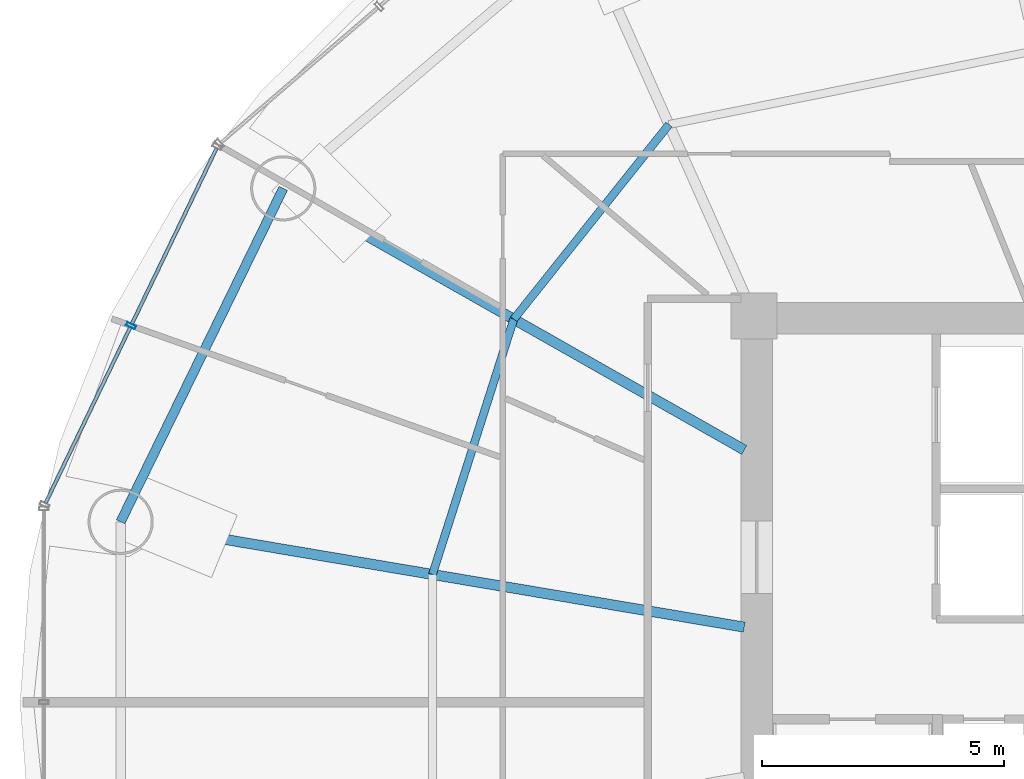
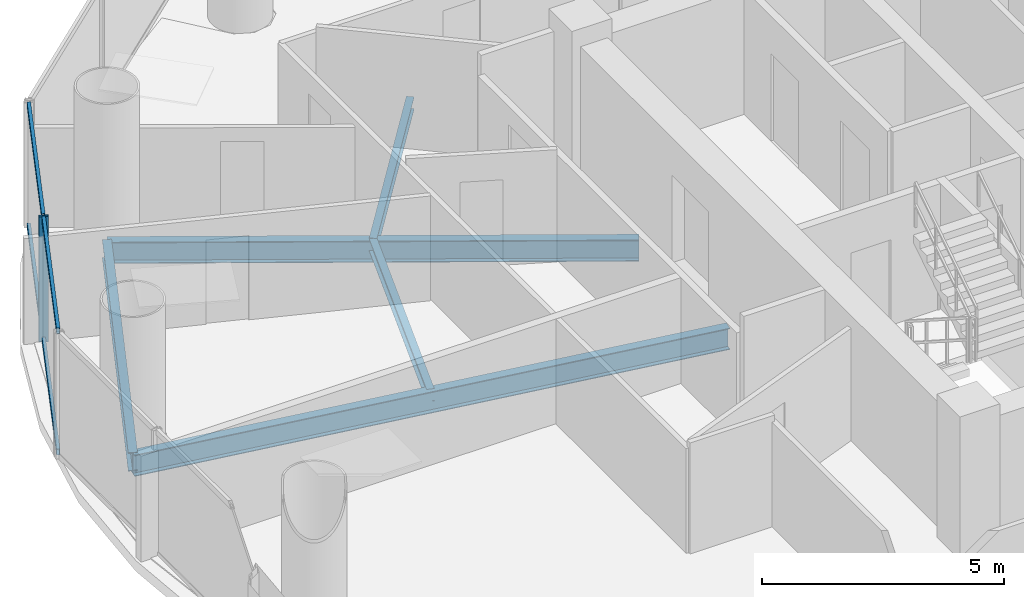
# One storey, part 8 of 26: 5 beams, 5 members, 1 element without a shape of its own.
"""IFC4 building model written with IfcOpenShell, lengths in metres."""

from ifc_helpers import new_model, si_unit, direction, frame, origin, origin_2d, place, context, subcontext, project, spatial, hollow_rectangle, i_section, extrude, source, transform, mapped, material, material_profile, profile_set, type_object, element, aggregate, save


model = new_model("IFC4")

# Units and contexts
model_context = context("Model", 3, precision=1e-05, world=origin(), true_north=direction((-0.2419218956, 0.970295726276)))
body_context = subcontext(model_context, "Body", "Model", "MODEL_VIEW")
ifc_project = project(units=[si_unit("LENGTHUNIT", "METRE"), si_unit("AREAUNIT", "SQUARE_METRE"), si_unit("VOLUMEUNIT", "CUBIC_METRE"), si_unit("PLANEANGLEUNIT", "RADIAN"), si_unit("MASSUNIT", "GRAM", prefix="KILO")], contexts=[model_context])

# Site, building, storey
site_placement = place(None, origin())
site = spatial("IfcSite", under=ifc_project, at=site_placement, CompositionType="ELEMENT")
building_placement = place(site_placement, origin())
building = spatial("IfcBuilding", under=site, at=building_placement, Name="Cobrevalo Terracotta Tower", CompositionType="ELEMENT")
storey_placement = place(building_placement, frame((0.0, 0.0, 182.199951171875)))
storey = spatial("IfcBuildingStorey", under=building, at=storey_placement, Name="L48", CompositionType="ELEMENT", Elevation=182.199951171875)

# Beams
ifc_material_1 = material(Name="Steel S355", Category="steel")
ifc_material_profile_1 = material_profile(ifc_material_1, i_section(OverallWidth=0.2109375, OverallDepth=0.5390625, WebThickness=0.01171875, FlangeThickness=0.018798828125, at=origin_2d()), Name="W 530x109")
ifc_profile_set_1 = profile_set([ifc_material_profile_1], Name="Steel S355")
beam_type_1 = type_object("IfcBeamType", Name="Structural Beam W 530x109 (Steel S355)", PredefinedType="BEAM", material=ifc_profile_set_1)
beam_1_placement = place(storey_placement, frame((19.250244140625, 37.439208984375, -0.53955078125), z_axis=(0.869734177783, -0.493520475762, 0.0), x_axis=(0.493520475762, 0.869734177783, 0.0)))
element("IfcBeam", 1, at=beam_1_placement, inside=storey, type_object=beam_type_1, Name="L48 radial floor girder 07", PredefinedType="BEAM", context=body_context, shape_type="SweptSolid", body=[
    extrude(i_section(OverallWidth=0.2109375, OverallDepth=0.5390625, WebThickness=0.01171875, FlangeThickness=0.018798828125, at=origin_2d()), origin(), (0.0, 0.0, 1.0), 10.974365234375),
])
beam_2_placement = place(storey_placement, frame((15.88330078125, 30.535888671875, -0.53955078125), z_axis=(0.986032794282, -0.166551279191, 0.0), x_axis=(0.166551279191, 0.986032794282, 0.0)))
element("IfcBeam", 2, at=beam_2_placement, inside=storey, type_object=beam_type_1, Name="L48 radial floor girder 08", PredefinedType="BEAM", context=body_context, shape_type="SweptSolid", body=[
    extrude(i_section(OverallWidth=0.2109375, OverallDepth=0.5390625, WebThickness=0.01171875, FlangeThickness=0.018798828125, at=origin_2d()), origin(), (0.0, 0.0, 1.0), 13.094482421875),
])
ifc_material_profile_2 = material_profile(ifc_material_1, i_section(OverallWidth=0.1650390625, OverallDepth=0.31005859375, WebThickness=0.005859375, FlangeThickness=0.009765625, at=origin_2d()), Name="W 310x38.7")
ifc_profile_set_2 = profile_set([ifc_material_profile_2], Name="Steel S355")
beam_type_2 = type_object("IfcBeamType", Name="Structural Joist W 310x38.7 (Steel S355)", PredefinedType="JOIST", material=ifc_profile_set_2)
beam_3_placement = place(storey_placement, frame((27.23583984375, 38.76123046875, -0.425048828125), z_axis=(-0.62340602772, -0.781898282773, 0.0), x_axis=(0.781898282773, -0.62340602772, 0.0)))
element("IfcBeam", 3, at=beam_3_placement, inside=storey, type_object=beam_type_2, Name="L48 circumferential secondary floor joist 06", PredefinedType="JOIST", context=body_context, shape_type="SweptSolid", body=[
    extrude(i_section(OverallWidth=0.1650390625, OverallDepth=0.31005859375, WebThickness=0.005859375, FlangeThickness=0.009765625, at=origin_2d()), origin(), (0.0, 0.0, 1.0), 5.154052734375),
])
beam_4_placement = place(storey_placement, frame((24.022705078125, 34.731201171875, -0.425048828125), z_axis=(-0.303497928386, -0.952832098255, 0.0), x_axis=(0.952832098255, -0.303497928386, 0.0)))
element("IfcBeam", 4, at=beam_4_placement, inside=storey, type_object=beam_type_2, Name="L48 circumferential secondary floor joist 07", PredefinedType="JOIST", context=body_context, shape_type="SweptSolid", body=[
    extrude(i_section(OverallWidth=0.1650390625, OverallDepth=0.31005859375, WebThickness=0.005859375, FlangeThickness=0.009765625, at=origin_2d()), origin(), (0.0, 0.0, 1.0), 5.54736328125),
])
ifc_material_profile_3 = material_profile(ifc_material_1, i_section(OverallWidth=0.194091796875, OverallDepth=0.468994140625, WebThickness=0.011474609375, FlangeThickness=0.0205078125, at=origin_2d()), Name="W 460x106")
ifc_profile_set_3 = profile_set([ifc_material_profile_3], Name="Steel S355")
beam_type_3 = type_object("IfcBeamType", Name="Structural Spandrel W 460x106 (Steel S355)", PredefinedType="SPANDREL", material=ifc_profile_set_3)
beam_5_placement = place(storey_placement, frame((19.250244140625, 37.439208984375, -0.50439453125), z_axis=(-0.438367894028, -0.89879563277, 0.0), x_axis=(0.89879563277, -0.438367894028, 0.0)))
element("IfcBeam", 5, at=beam_5_placement, inside=storey, type_object=beam_type_3, Name="L48 perimeter ring spandrel 07", PredefinedType="SPANDREL", context=body_context, shape_type="SweptSolid", body=[
    extrude(i_section(OverallWidth=0.194091796875, OverallDepth=0.468994140625, WebThickness=0.011474609375, FlangeThickness=0.0205078125, at=origin_2d()), origin(), (0.0, 0.0, 1.0), 7.6806640625),
])

# Curtain wall, members
ifc_material_2 = material(Name="Anodized aluminium", Category="aluminium")
curtain_wall_type = type_object("IfcCurtainWallType", Name="Mid-tower high-wind unitised curtain wall CW-U2", PredefinedType="NOTDEFINED", material=ifc_material_2)
curtain_wall_placement = place(storey_placement, origin())
curtain_wall = element("IfcCurtainWall", 6, at=curtain_wall_placement, inside=storey, type_object=curtain_wall_type, Name="L48 curtain wall CW-L48-S07", PredefinedType="NOTDEFINED")
ifc_material_profile_4 = material_profile(ifc_material_2, hollow_rectangle(XDim=0.074951171875, YDim=0.14990234375, WallThickness=0.00439453125, at=origin_2d()), Name="CWT 75x150")
ifc_profile_set_4 = profile_set([ifc_material_profile_4], Name="Anodized aluminium")
member_type_1 = type_object("IfcMemberType", Name="Tower unitised aluminium transom 75x150", PredefinedType="USERDEFINED", material=ifc_profile_set_4)
shared_shape_1 = source(origin(), body_context, "Body", "SweptSolid", [
    extrude(hollow_rectangle(XDim=0.074951171875, YDim=0.14990234375, WallThickness=0.00439453125, at=origin_2d()), origin(), (0.0, 0.0, 1.0), 4.035888671875),
])
member_1_placement = place(storey_placement, frame((17.86865234375, 38.26708984375, 0.050048828125), z_axis=(-0.434221176581, -0.900806288726, 0.0), x_axis=(0.900806288726, -0.434221176581, 0.0)))
member_1 = element("IfcMember", 7, at=member_1_placement, type_object=member_type_1, Name="CW-L48-S07 transom B01-T1", ObjectType="TRANSOM", PredefinedType="USERDEFINED", context=body_context, shape_type="MappedRepresentation", body=[
    mapped(shared_shape_1, transform((0.0, 0.0, 0.0), scale=1.0)),
])
member_2_placement = place(storey_placement, frame((17.86865234375, 38.26708984375, 3.10009765625), z_axis=(-0.434221176581, -0.900806288726, 0.0), x_axis=(0.900806288726, -0.434221176581, 0.0)))
member_2 = element("IfcMember", 8, at=member_2_placement, type_object=member_type_1, Name="CW-L48-S07 transom B01-T2", ObjectType="TRANSOM", PredefinedType="USERDEFINED", context=body_context, shape_type="MappedRepresentation", body=[
    mapped(shared_shape_1, transform((0.0, 0.0, 0.0), scale=1.0)),
])
member_3_placement = place(storey_placement, frame((16.08154296875, 34.5595703125, 0.050048828125), z_axis=(-0.434221176581, -0.900806288726, 0.0), x_axis=(0.900806288726, -0.434221176581, 0.0)))
member_3 = element("IfcMember", 9, at=member_3_placement, type_object=member_type_1, Name="CW-L48-S07 transom B02-T1", ObjectType="TRANSOM", PredefinedType="USERDEFINED", context=body_context, shape_type="MappedRepresentation", body=[
    mapped(shared_shape_1, transform((0.0, 0.0, 0.0), scale=1.0)),
])
member_4_placement = place(storey_placement, frame((16.08154296875, 34.5595703125, 3.10009765625), z_axis=(-0.434221176581, -0.900806288726, 0.0), x_axis=(0.900806288726, -0.434221176581, 0.0)))
member_4 = element("IfcMember", 10, at=member_4_placement, type_object=member_type_1, Name="CW-L48-S07 transom B02-T2", ObjectType="TRANSOM", PredefinedType="USERDEFINED", context=body_context, shape_type="MappedRepresentation", body=[
    mapped(shared_shape_1, transform((0.0, 0.0, 0.0), scale=1.0)),
])
ifc_material_profile_5 = material_profile(ifc_material_2, hollow_rectangle(XDim=0.074951171875, YDim=0.199951171875, WallThickness=0.0048828125, at=origin_2d()), Name="CWM 75x200")
ifc_profile_set_5 = profile_set([ifc_material_profile_5], Name="Anodized aluminium")
member_type_2 = type_object("IfcMemberType", Name="Lower/mid tower unitised mullion 75x200", PredefinedType="MULLION", material=ifc_profile_set_5)
shared_shape_2 = source(origin(), body_context, "Body", "SweptSolid", [
    extrude(hollow_rectangle(XDim=0.074951171875, YDim=0.199951171875, WallThickness=0.0048828125, at=origin_2d()), origin(), (0.0, 0.0, 1.0), 3.150146484375),
])
member_5_placement = place(storey_placement, frame((16.098876953125, 34.595703125, 0.0), z_axis=(0.0, 0.0, 1.0), x_axis=(-0.434209440271, -0.900811945957, 0.0)))
member_5 = element("IfcMember", 11, at=member_5_placement, type_object=member_type_2, Name="CW-L48-S07 vertical mullion 02", PredefinedType="MULLION", context=body_context, shape_type="MappedRepresentation", body=[
    mapped(shared_shape_2, transform((0.0, 0.0, 0.0), scale=1.0)),
])
aggregate(curtain_wall, [member_5, member_1, member_2, member_3, member_4])

save(model, "model.ifc")
